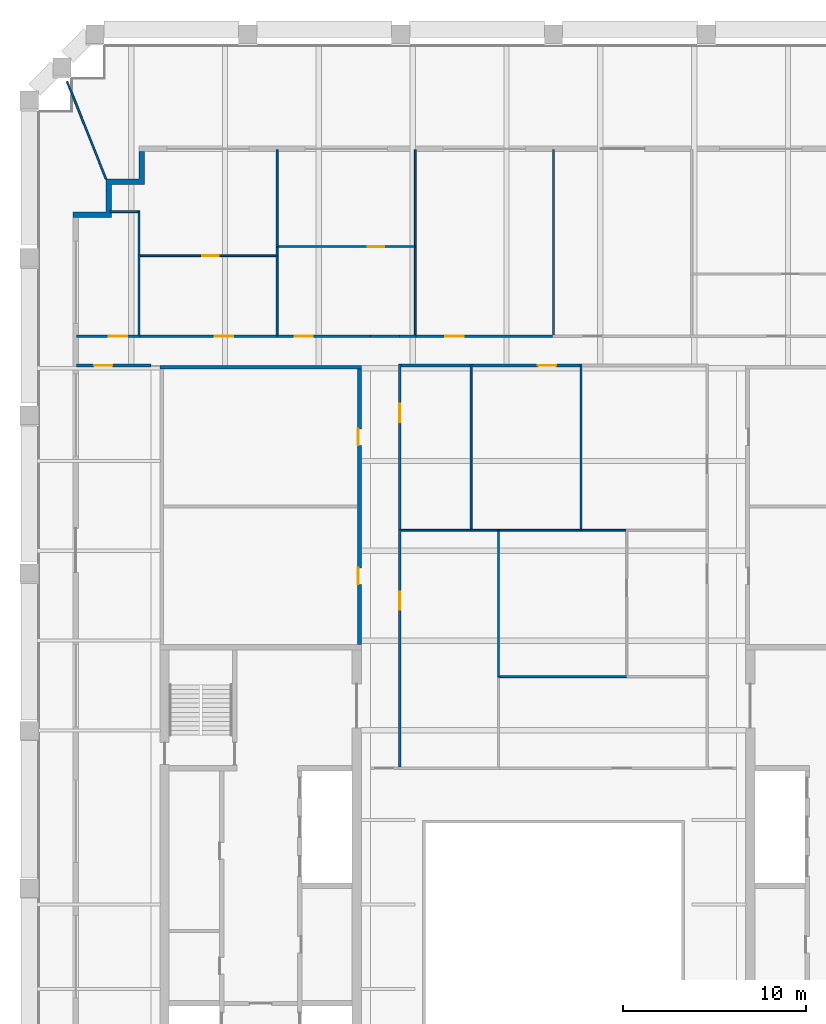
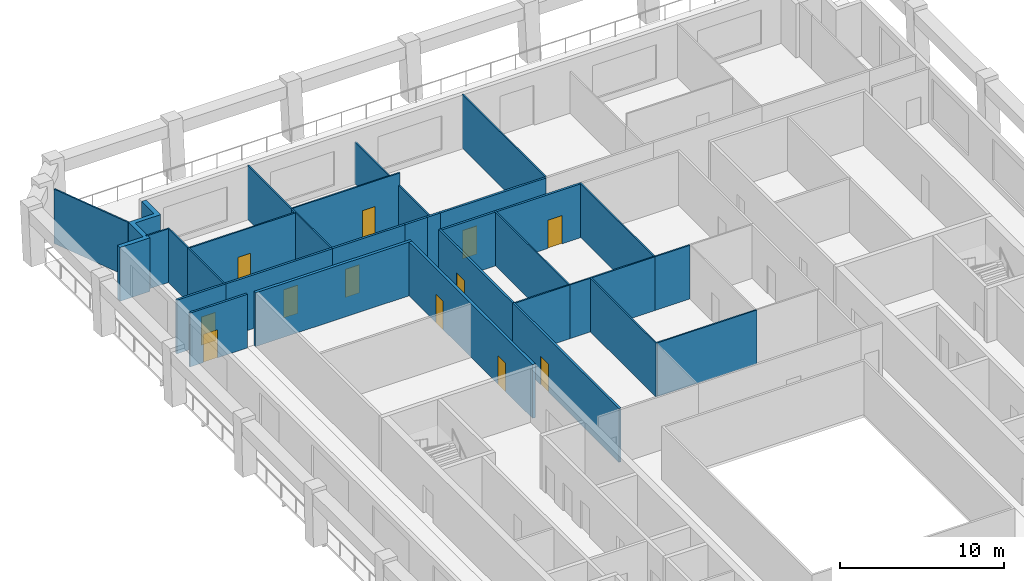
# One storey, part 5 of 8: 34 walls, 12 doors, 12 openings.
"""IFC4 building model written with IfcOpenShell, lengths in metres."""

from ifc_helpers import new_model, si_unit, direction, frame, frame_2d, origin, place, context, subcontext, project, spatial, polyline, rectangle, outline, extrude, material, layer, layer_set, type_object, element, fill, save


model = new_model("IFC4")

# Units and contexts
model_context = context("Model", 3, precision=1e-05, world=origin(), true_north=direction((0.0, 1.0)))
body_context = subcontext(model_context, "Body", "Model", "MODEL_VIEW")
ifc_project = project(units=[si_unit("LENGTHUNIT", "METRE"), si_unit("AREAUNIT", "SQUARE_METRE"), si_unit("VOLUMEUNIT", "CUBIC_METRE"), si_unit("PLANEANGLEUNIT", "RADIAN"), si_unit("MASSUNIT", "GRAM", prefix="KILO")], contexts=[model_context])

# Site, building, storey
site_placement = place(None, origin())
site = spatial("IfcSite", under=ifc_project, at=site_placement, CompositionType="ELEMENT")
building_placement = place(site_placement, origin())
building = spatial("IfcBuilding", under=site, at=building_placement, Name="Ogive Exchange Tower", CompositionType="ELEMENT")
storey_placement = place(building_placement, frame((0.0, 0.0, 342.60009765625)))
storey = spatial("IfcBuildingStorey", under=building, at=storey_placement, Name="L75", CompositionType="ELEMENT", Elevation=342.60009765625)

# Wall, opening, door
ifc_material_1 = material(Name="Fire partition EI 60 150")
ifc_layer_1 = layer(ifc_material_1, 0.14990234375)
ifc_layer_set_1 = layer_set([ifc_layer_1], Name="Fire partition EI 60 150")
wall_type_1 = type_object("IfcWallType", Name="Fire partition EI 60 150", PredefinedType="PARTITIONING", material=ifc_layer_set_1)
wall_1_placement = place(storey_placement, frame((-26.050048828125, 42.60009765625, 0.0), z_axis=(0.0, 0.0, 1.0), x_axis=(1.0, 0.0, 0.0)))
wall_1 = element("IfcWall", 1, at=wall_1_placement, inside=storey, type_object=wall_type_1, Name="L75-PWL-001", PredefinedType="PARTITIONING", context=body_context, shape_type="SweptSolid", body=[
    extrude(rectangle(XDim=3.449951171875, YDim=0.14990234375, at=frame_2d((1.72509765625, 0.0))), origin(), (0.0, 0.0, 1.0), 4.0),
])
opening_1_placement = place(wall_1_placement, frame((1.75, 0.0, 0.0)))
opening_1 = element("IfcOpeningElement", 2, at=opening_1_placement, cuts=wall_1, Name="Opening L75-I11", PredefinedType="OPENING", context=body_context, shape_type="SweptSolid", body=[
    extrude(rectangle(XDim=1.0, YDim=2.10009765625, at=frame_2d((0.5, 1.050048828125))), frame((0.0, 0.0849609375, 0.0), z_axis=(0.0, -1.0, 0.0), x_axis=(1.0, 0.0, 0.0)), (0.0, 0.0, 1.0), 0.169921875),
])
ifc_material_2 = material(Name="Fire door FD 30S 1000 x 2100")
door_type_1 = type_object("IfcDoorType", Name="Fire door FD 30S 1000 x 2100", OperationType="NOTDEFINED", PredefinedType="DOOR", material=ifc_material_2)
door_1_placement = place(opening_1_placement, origin())
door_1 = element("IfcDoor", 3, at=door_1_placement, inside=storey, type_object=door_type_1, Name="L75-IDR-011", ObjectType="DT3", OperationType="SINGLE_SWING_LEFT", OverallHeight=2.10009765625, OverallWidth=1.0, PredefinedType="DOOR", context=body_context, shape_type="SweptSolid", body=[
    extrude(rectangle(XDim=1.0, YDim=2.10009765625, at=frame_2d((0.5, 1.050048828125))), frame((0.0, 0.02490234375, 0.0), z_axis=(0.0, -1.0, 0.0), x_axis=(1.0, 0.0, 0.0)), (0.0, 0.0, 1.0), 0.050048828125),
])
fill(opening_1, door_1)

wall_2_placement = place(storey_placement, frame((-22.64990234375, 42.60009765625, 0.0), z_axis=(0.0, 0.0, 1.0), x_axis=(1.0, 0.0, 0.0)))
wall_2 = element("IfcWall", 4, at=wall_2_placement, inside=storey, type_object=wall_type_1, Name="L75-PWL-004", PredefinedType="PARTITIONING", context=body_context, shape_type="SweptSolid", body=[
    extrude(rectangle(XDim=7.599853515625, YDim=0.14990234375, at=frame_2d((3.7998046875, 0.0))), origin(), (0.0, 0.0, 1.0), 4.0),
])
opening_2_placement = place(wall_2_placement, frame((4.14990234375, 0.0, 0.0)))
opening_2 = element("IfcOpeningElement", 5, at=opening_2_placement, cuts=wall_2, Name="Opening L75-I10", PredefinedType="OPENING", context=body_context, shape_type="SweptSolid", body=[
    extrude(rectangle(XDim=1.0, YDim=2.10009765625, at=frame_2d((0.5, 1.050048828125))), frame((0.0, 0.0849609375, 0.0), z_axis=(0.0, -1.0, 0.0), x_axis=(1.0, 0.0, 0.0)), (0.0, 0.0, 1.0), 0.169921875),
])
door_2_placement = place(opening_2_placement, origin())
door_2 = element("IfcDoor", 6, at=door_2_placement, inside=storey, type_object=door_type_1, Name="L75-IDR-010", ObjectType="DT3", OperationType="SINGLE_SWING_LEFT", OverallHeight=2.10009765625, OverallWidth=1.0, PredefinedType="DOOR", context=body_context, shape_type="SweptSolid", body=[
    extrude(rectangle(XDim=1.0, YDim=2.10009765625, at=frame_2d((0.5, 1.050048828125))), frame((0.0, 0.02490234375, 0.0), z_axis=(0.0, -1.0, 0.0), x_axis=(1.0, 0.0, 0.0)), (0.0, 0.0, 1.0), 0.050048828125),
])
fill(opening_2, door_2)

wall_3_placement = place(storey_placement, frame((-22.0, 41.0, 0.0), z_axis=(0.0, 0.0, 1.0), x_axis=(-1.0, 0.0, 0.0)))
wall_3 = element("IfcWall", 7, at=wall_3_placement, inside=storey, type_object=wall_type_1, Name="L75-PWL-007", PredefinedType="PARTITIONING", context=body_context, shape_type="SweptSolid", body=[
    extrude(rectangle(XDim=4.050048828125, YDim=0.14990234375, at=frame_2d((2.02490234375, 0.0))), origin(), (0.0, 0.0, 1.0), 4.0),
])
opening_3_placement = place(wall_3_placement, frame((2.10009765625, 0.0, 0.0)))
opening_3 = element("IfcOpeningElement", 8, at=opening_3_placement, cuts=wall_3, Name="Opening L75-I19", PredefinedType="OPENING", context=body_context, shape_type="SweptSolid", body=[
    extrude(rectangle(XDim=1.0, YDim=2.10009765625, at=frame_2d((0.5, 1.050048828125))), frame((0.0, 0.0849609375, 0.0), z_axis=(0.0, -1.0, 0.0), x_axis=(1.0, 0.0, 0.0)), (0.0, 0.0, 1.0), 0.169921875),
])
door_3_placement = place(opening_3_placement, origin())
door_3 = element("IfcDoor", 9, at=door_3_placement, inside=storey, type_object=door_type_1, Name="L75-IDR-019", ObjectType="DT3", OperationType="SINGLE_SWING_LEFT", OverallHeight=2.10009765625, OverallWidth=1.0, PredefinedType="DOOR", context=body_context, shape_type="SweptSolid", body=[
    extrude(rectangle(XDim=1.0, YDim=2.10009765625, at=frame_2d((0.5, 1.050048828125))), frame((0.0, 0.02490234375, 0.0), z_axis=(0.0, -1.0, 0.0), x_axis=(1.0, 0.0, 0.0)), (0.0, 0.0, 1.0), 0.050048828125),
])
fill(opening_3, door_3)

wall_4_placement = place(storey_placement, frame((-15.10009765625, 42.60009765625, 0.0), z_axis=(0.0, 0.0, 1.0), x_axis=(1.0, 0.0, 0.0)))
wall_4 = element("IfcWall", 10, at=wall_4_placement, inside=storey, type_object=wall_type_1, Name="L75-PWL-009", PredefinedType="PARTITIONING", context=body_context, shape_type="SweptSolid", body=[
    extrude(rectangle(XDim=5.10009765625, YDim=0.14990234375, at=frame_2d((2.550048828125, 0.0))), origin(), (0.0, 0.0, 1.0), 4.0),
])
opening_4_placement = place(wall_4_placement, frame((0.949951171875, 0.0, 0.0)))
opening_4 = element("IfcOpeningElement", 11, at=opening_4_placement, cuts=wall_4, Name="Opening L75-I07", PredefinedType="OPENING", context=body_context, shape_type="SweptSolid", body=[
    extrude(rectangle(XDim=1.0, YDim=2.10009765625, at=frame_2d((0.5, 1.050048828125))), frame((0.0, 0.0849609375, 0.0), z_axis=(0.0, -1.0, 0.0), x_axis=(1.0, 0.0, 0.0)), (0.0, 0.0, 1.0), 0.169921875),
])
door_4_placement = place(opening_4_placement, origin())
door_4 = element("IfcDoor", 12, at=door_4_placement, inside=storey, type_object=door_type_1, Name="L75-IDR-007", ObjectType="DT3", OperationType="SINGLE_SWING_RIGHT", OverallHeight=2.10009765625, OverallWidth=1.0, PredefinedType="DOOR", context=body_context, shape_type="SweptSolid", body=[
    extrude(rectangle(XDim=1.0, YDim=2.10009765625, at=frame_2d((0.5, 1.050048828125))), frame((0.0, 0.02490234375, 0.0), z_axis=(0.0, -1.0, 0.0), x_axis=(1.0, 0.0, 0.0)), (0.0, 0.0, 1.0), 0.050048828125),
])
fill(opening_4, door_4)

# Wall
wall_5_placement = place(storey_placement, frame((-10.0, 42.60009765625, 0.0), z_axis=(0.0, 0.0, 1.0), x_axis=(1.0, 0.0, 0.0)))
element("IfcWall", 13, at=wall_5_placement, inside=storey, type_object=wall_type_1, Name="L75-PWL-014", PredefinedType="PARTITIONING", context=body_context, shape_type="SweptSolid", body=[
    extrude(rectangle(XDim=1.60009765625, YDim=0.14990234375, at=frame_2d((0.800048828125, 0.0))), origin(), (0.0, 0.0, 1.0), 4.0),
])

# Wall, opening, door
wall_6_placement = place(storey_placement, frame((-8.39990234375, 32.050048828125, 0.0), z_axis=(0.0, 0.0, 1.0), x_axis=(0.0, -1.0, 0.0)))
wall_6 = element("IfcWall", 14, at=wall_6_placement, inside=storey, type_object=wall_type_1, Name="L75-PWL-016", PredefinedType="PARTITIONING", context=body_context, shape_type="SweptSolid", body=[
    extrude(rectangle(XDim=12.97509765625, YDim=0.14990234375, at=frame_2d((6.487548828125, 0.0))), origin(), (0.0, 0.0, 1.0), 4.0),
])
opening_5_placement = place(wall_6_placement, frame((3.39990234375, 0.0, 0.0)))
opening_5 = element("IfcOpeningElement", 15, at=opening_5_placement, cuts=wall_6, Name="Opening L75-I18", PredefinedType="OPENING", context=body_context, shape_type="SweptSolid", body=[
    extrude(rectangle(XDim=1.0, YDim=2.10009765625, at=frame_2d((0.5, 1.050048828125))), frame((0.0, 0.0849609375, 0.0), z_axis=(0.0, -1.0, 0.0), x_axis=(1.0, 0.0, 0.0)), (0.0, 0.0, 1.0), 0.169921875),
])
door_5_placement = place(opening_5_placement, origin())
door_5 = element("IfcDoor", 16, at=door_5_placement, inside=storey, type_object=door_type_1, Name="L75-IDR-018", ObjectType="DT3", OperationType="SINGLE_SWING_RIGHT", OverallHeight=2.10009765625, OverallWidth=1.0, PredefinedType="DOOR", context=body_context, shape_type="SweptSolid", body=[
    extrude(rectangle(XDim=1.0, YDim=2.10009765625, at=frame_2d((0.5, 1.050048828125))), frame((0.0, 0.02490234375, 0.0), z_axis=(0.0, -1.0, 0.0), x_axis=(1.0, 0.0, 0.0)), (0.0, 0.0, 1.0), 0.050048828125),
])
fill(opening_5, door_5)

wall_7_placement = place(storey_placement, frame((-8.39990234375, 41.074951171875, 0.0), z_axis=(0.0, 0.0, 1.0), x_axis=(0.0, -1.0, 0.0)))
wall_7 = element("IfcWall", 17, at=wall_7_placement, inside=storey, type_object=wall_type_1, Name="L75-PWL-017", PredefinedType="PARTITIONING", context=body_context, shape_type="SweptSolid", body=[
    extrude(rectangle(XDim=9.02490234375, YDim=0.14990234375, at=frame_2d((4.512451171875, 0.0))), origin(), (0.0, 0.0, 1.0), 4.0),
])
opening_6_placement = place(wall_7_placement, frame((2.175048828125, 0.0, 0.0)))
opening_6 = element("IfcOpeningElement", 18, at=opening_6_placement, cuts=wall_7, Name="Opening L75-I14", PredefinedType="OPENING", context=body_context, shape_type="SweptSolid", body=[
    extrude(rectangle(XDim=1.0, YDim=2.10009765625, at=frame_2d((0.5, 1.050048828125))), frame((0.0, 0.0849609375, 0.0), z_axis=(0.0, -1.0, 0.0), x_axis=(1.0, 0.0, 0.0)), (0.0, 0.0, 1.0), 0.169921875),
])
door_6_placement = place(opening_6_placement, origin())
door_6 = element("IfcDoor", 19, at=door_6_placement, inside=storey, type_object=door_type_1, Name="L75-IDR-014", ObjectType="DT3", OperationType="SINGLE_SWING_RIGHT", OverallHeight=2.10009765625, OverallWidth=1.0, PredefinedType="DOOR", context=body_context, shape_type="SweptSolid", body=[
    extrude(rectangle(XDim=1.0, YDim=2.10009765625, at=frame_2d((0.5, 1.050048828125))), frame((0.0, 0.02490234375, 0.0), z_axis=(0.0, -1.0, 0.0), x_axis=(1.0, 0.0, 0.0)), (0.0, 0.0, 1.0), 0.050048828125),
])
fill(opening_6, door_6)

# Wall
wall_8_placement = place(storey_placement, frame((-8.39990234375, 42.60009765625, 0.0), z_axis=(0.0, 0.0, 1.0), x_axis=(1.0, 0.0, 0.0)))
element("IfcWall", 20, at=wall_8_placement, inside=storey, type_object=wall_type_1, Name="L75-PWL-018", PredefinedType="PARTITIONING", context=body_context, shape_type="SweptSolid", body=[
    extrude(rectangle(XDim=0.89990234375, YDim=0.14990234375, at=frame_2d((0.449951171875, 0.0))), origin(), (0.0, 0.0, 1.0), 4.0),
])

# Wall, opening, door
wall_9_placement = place(storey_placement, frame((-7.550048828125, 42.60009765625, 0.0), z_axis=(0.0, 0.0, 1.0), x_axis=(1.0, 0.0, 0.0)))
wall_9 = element("IfcWall", 21, at=wall_9_placement, inside=storey, type_object=wall_type_1, Name="L75-PWL-020", PredefinedType="PARTITIONING", context=body_context, shape_type="SweptSolid", body=[
    extrude(rectangle(XDim=7.5, YDim=0.14990234375, at=frame_2d((3.75, 0.0))), origin(), (0.0, 0.0, 1.0), 4.0),
])
opening_7_placement = place(wall_9_placement, frame((1.64990234375, 0.0, 0.0)))
opening_7 = element("IfcOpeningElement", 22, at=opening_7_placement, cuts=wall_9, Name="Opening L75-I01", PredefinedType="OPENING", context=body_context, shape_type="SweptSolid", body=[
    extrude(rectangle(XDim=1.0, YDim=2.10009765625, at=frame_2d((0.5, 1.050048828125))), frame((0.0, 0.0849609375, 0.0), z_axis=(0.0, -1.0, 0.0), x_axis=(1.0, 0.0, 0.0)), (0.0, 0.0, 1.0), 0.169921875),
])
door_7_placement = place(opening_7_placement, origin())
door_7 = element("IfcDoor", 23, at=door_7_placement, inside=storey, type_object=door_type_1, Name="L75-IDR-001", ObjectType="DT3", OperationType="SINGLE_SWING_RIGHT", OverallHeight=2.10009765625, OverallWidth=1.0, PredefinedType="DOOR", context=body_context, shape_type="SweptSolid", body=[
    extrude(rectangle(XDim=1.0, YDim=2.10009765625, at=frame_2d((0.5, 1.050048828125))), frame((0.0, 0.02490234375, 0.0), z_axis=(0.0, -1.0, 0.0), x_axis=(1.0, 0.0, 0.0)), (0.0, 0.0, 1.0), 0.050048828125),
])
fill(opening_7, door_7)

# Wall
wall_10_placement = place(storey_placement, frame((-4.550048828125, 41.0, 0.0), z_axis=(0.0, 0.0, 1.0), x_axis=(-1.0, 0.0, 0.0)))
element("IfcWall", 24, at=wall_10_placement, inside=storey, type_object=wall_type_1, Name="L75-PWL-024", PredefinedType="PARTITIONING", context=body_context, shape_type="SweptSolid", body=[
    extrude(rectangle(XDim=3.77490234375, YDim=0.14990234375, at=frame_2d((1.887451171875, 0.0))), origin(), (0.0, 0.0, 1.0), 4.0),
])

# Wall, opening, door
wall_11_placement = place(storey_placement, frame((1.449951171875, 41.0, 0.0), z_axis=(0.0, 0.0, 1.0), x_axis=(-1.0, 0.0, 0.0)))
wall_11 = element("IfcWall", 25, at=wall_11_placement, inside=storey, type_object=wall_type_1, Name="L75-PWL-034", PredefinedType="PARTITIONING", context=body_context, shape_type="SweptSolid", body=[
    extrude(rectangle(XDim=5.89990234375, YDim=0.14990234375, at=frame_2d((2.949951171875, 0.0))), origin(), (0.0, 0.0, 1.0), 4.0),
])
opening_8_placement = place(wall_11_placement, frame((1.300048828125, 0.0, 0.0)))
opening_8 = element("IfcOpeningElement", 26, at=opening_8_placement, cuts=wall_11, Name="Opening L75-I13", PredefinedType="OPENING", context=body_context, shape_type="SweptSolid", body=[
    extrude(rectangle(XDim=1.0, YDim=2.10009765625, at=frame_2d((0.5, 1.050048828125))), frame((0.0, 0.0849609375, 0.0), z_axis=(0.0, -1.0, 0.0), x_axis=(1.0, 0.0, 0.0)), (0.0, 0.0, 1.0), 0.169921875),
])
door_8_placement = place(opening_8_placement, origin())
door_8 = element("IfcDoor", 27, at=door_8_placement, inside=storey, type_object=door_type_1, Name="L75-IDR-013", ObjectType="DT3", OperationType="SINGLE_SWING_RIGHT", OverallHeight=2.10009765625, OverallWidth=1.0, PredefinedType="DOOR", context=body_context, shape_type="SweptSolid", body=[
    extrude(rectangle(XDim=1.0, YDim=2.10009765625, at=frame_2d((0.5, 1.050048828125))), frame((0.0, 0.02490234375, 0.0), z_axis=(0.0, -1.0, 0.0), x_axis=(1.0, 0.0, 0.0)), (0.0, 0.0, 1.0), 0.050048828125),
])
fill(opening_8, door_8)

# Walls
ifc_material_3 = material(Name="Precast concrete C40/50", Category="concrete")
ifc_layer_2 = layer(ifc_material_3, 0.300048828125)
ifc_layer_set_2 = layer_set([ifc_layer_2], Name="Limestone-faced wall 300")
wall_type_2 = type_object("IfcWallType", Name="Limestone-faced wall 300", PredefinedType="STANDARD", material=ifc_layer_set_2)
wall_12_placement = place(storey_placement, origin())
element("IfcWall", 28, at=wall_12_placement, inside=storey, type_object=wall_type_2, Name="External corner wall C3", PredefinedType="STANDARD", context=body_context, shape_type="SweptSolid", body=[
    extrude(outline(polyline([(-24.449951171875, 49.39990234375), (-24.449951171875, 51.199951171875), (-22.64990234375, 51.199951171875), (-22.64990234375, 52.699951171875), (-22.35009765625, 52.699951171875), (-22.35009765625, 50.89990234375), (-24.14990234375, 50.89990234375), (-24.14990234375, 49.10009765625), (-26.25, 49.10009765625), (-26.25, 49.39990234375), (-24.449951171875, 49.39990234375)])), origin(), (0.0, 0.0, 1.0), 4.0),
])
ifc_material_4 = material(Name="Laminated safety glass in steel frame", Category="steel")
ifc_layer_3 = layer(ifc_material_4, 0.10009765625)
ifc_layer_set_3 = layer_set([ifc_layer_3], Name="Loggia end screen 100")
wall_type_3 = type_object("IfcWallType", Name="Loggia end screen 100", PredefinedType="STANDARD", material=ifc_layer_set_3)
wall_13_placement = place(storey_placement, frame((-24.449951171875, 51.199951171875, -0.050048828125), z_axis=(0.0, 0.0, 1.0), x_axis=(-0.371412694589, 0.928467883288, 0.0)))
element("IfcWall", 29, at=wall_13_placement, inside=storey, type_object=wall_type_3, Name="Loggia end screen C3", PredefinedType="STANDARD", context=body_context, shape_type="SweptSolid", body=[
    extrude(rectangle(XDim=5.735107421875, YDim=0.10009765625, at=frame_2d((2.86767578125, 0.0))), origin(), (0.0, 0.0, 1.0), 4.050048828125),
])
ifc_material_5 = material(Name="Partition 100 gypsum")
ifc_layer_4 = layer(ifc_material_5, 0.10009765625)
ifc_layer_set_4 = layer_set([ifc_layer_4], Name="Partition 100 gypsum")
wall_type_4 = type_object("IfcWallType", Name="Partition 100 gypsum", PredefinedType="PARTITIONING", material=ifc_layer_set_4)
wall_14_placement = place(storey_placement, frame((-22.64990234375, 42.675048828125, 0.0), z_axis=(0.0, 0.0, 1.0), x_axis=(0.0, 1.0, 0.0)))
element("IfcWall", 30, at=wall_14_placement, inside=storey, type_object=wall_type_4, Name="L75-PWL-003", PredefinedType="PARTITIONING", context=body_context, shape_type="SweptSolid", body=[
    extrude(rectangle(XDim=4.375, YDim=0.10009765625, at=frame_2d((2.1875, 0.0))), origin(), (0.0, 0.0, 1.0), 4.0),
])
wall_15_placement = place(storey_placement, frame((-22.64990234375, 47.050048828125, 0.0), z_axis=(0.0, 0.0, 1.0), x_axis=(0.0, 1.0, 0.0)))
element("IfcWall", 31, at=wall_15_placement, inside=storey, type_object=wall_type_4, Name="L75-PWL-005", PredefinedType="PARTITIONING", context=body_context, shape_type="SweptSolid", body=[
    extrude(rectangle(XDim=2.409912109375, YDim=0.10009765625, at=frame_2d((1.205078125, 0.0))), origin(), (0.0, 0.0, 1.0), 4.0),
])
wall_16_placement = place(storey_placement, frame((-22.699951171875, 49.409912109375, 0.0), z_axis=(0.0, 0.0, 1.0), x_axis=(-1.0, 0.0, 0.0)))
element("IfcWall", 32, at=wall_16_placement, inside=storey, type_object=wall_type_4, Name="L75-PWL-006", PredefinedType="PARTITIONING", context=body_context, shape_type="SweptSolid", body=[
    extrude(rectangle(XDim=1.550048828125, YDim=0.10009765625, at=frame_2d((0.77490234375, 0.0))), origin(), (0.0, 0.0, 1.0), 4.0),
])
wall_17_placement = place(storey_placement, frame((-15.10009765625, 42.675048828125, 0.0), z_axis=(0.0, 0.0, 1.0), x_axis=(0.0, 1.0, 0.0)))
element("IfcWall", 33, at=wall_17_placement, inside=storey, type_object=wall_type_4, Name="L75-PWL-008", PredefinedType="PARTITIONING", context=body_context, shape_type="SweptSolid", body=[
    extrude(rectangle(XDim=4.375, YDim=0.10009765625, at=frame_2d((2.1875, 0.0))), origin(), (0.0, 0.0, 1.0), 4.0),
])

# Wall, opening, door
wall_18_placement = place(storey_placement, frame((-15.14990234375, 47.0, 0.0), z_axis=(0.0, 0.0, 1.0), x_axis=(-1.0, 0.0, 0.0)))
wall_18 = element("IfcWall", 34, at=wall_18_placement, inside=storey, type_object=wall_type_4, Name="L75-PWL-010", PredefinedType="PARTITIONING", context=body_context, shape_type="SweptSolid", body=[
    extrude(rectangle(XDim=7.4501953125, YDim=0.10009765625, at=frame_2d((3.72509765625, 0.0))), origin(), (0.0, 0.0, 1.0), 4.0),
])
opening_9_placement = place(wall_18_placement, frame((3.14990234375, 0.0, 0.0)))
opening_9 = element("IfcOpeningElement", 35, at=opening_9_placement, cuts=wall_18, Name="Opening L75-I09", PredefinedType="OPENING", context=body_context, shape_type="SweptSolid", body=[
    extrude(rectangle(XDim=0.89990234375, YDim=2.10009765625, at=frame_2d((0.449951171875, 1.050048828125))), frame((0.0, 0.06005859375, 0.0), z_axis=(0.0, -1.0, 0.0), x_axis=(1.0, 0.0, 0.0)), (0.0, 0.0, 1.0), 0.1201171875),
])
ifc_material_6 = material(Name="Door 900 x 2100")
door_type_2 = type_object("IfcDoorType", Name="Door 900 x 2100", OperationType="NOTDEFINED", PredefinedType="DOOR", material=ifc_material_6)
door_9_placement = place(opening_9_placement, origin())
door_9 = element("IfcDoor", 36, at=door_9_placement, inside=storey, type_object=door_type_2, Name="L75-IDR-009", ObjectType="DT1", OperationType="SINGLE_SWING_LEFT", OverallHeight=2.10009765625, OverallWidth=0.89990234375, PredefinedType="DOOR", context=body_context, shape_type="SweptSolid", body=[
    extrude(rectangle(XDim=0.89990234375, YDim=2.10009765625, at=frame_2d((0.449951171875, 1.050048828125))), frame((0.0, 0.02490234375, 0.0), z_axis=(0.0, -1.0, 0.0), x_axis=(1.0, 0.0, 0.0)), (0.0, 0.0, 1.0), 0.050048828125),
])
fill(opening_9, door_9)

# Walls
wall_19_placement = place(storey_placement, frame((-15.10009765625, 47.0, 0.0), z_axis=(0.0, 0.0, 1.0), x_axis=(0.0, 1.0, 0.0)))
element("IfcWall", 37, at=wall_19_placement, inside=storey, type_object=wall_type_4, Name="L75-PWL-011", PredefinedType="PARTITIONING", context=body_context, shape_type="SweptSolid", body=[
    extrude(rectangle(XDim=0.449951171875, YDim=0.10009765625, at=frame_2d((0.22509765625, 0.0))), origin(), (0.0, 0.0, 1.0), 4.0),
])
wall_20_placement = place(storey_placement, frame((-15.10009765625, 47.449951171875, 0.0), z_axis=(0.0, 0.0, 1.0), x_axis=(0.0, 1.0, 0.0)))
element("IfcWall", 38, at=wall_20_placement, inside=storey, type_object=wall_type_4, Name="L75-PWL-012", PredefinedType="PARTITIONING", context=body_context, shape_type="SweptSolid", body=[
    extrude(rectangle(XDim=5.35009765625, YDim=0.10009765625, at=frame_2d((2.675048828125, 0.0))), origin(), (0.0, 0.0, 1.0), 4.0),
])

# Wall, opening, door
wall_21_placement = place(storey_placement, frame((-15.050048828125, 47.5, 0.0), z_axis=(0.0, 0.0, 1.0), x_axis=(1.0, 0.0, 0.0)))
wall_21 = element("IfcWall", 39, at=wall_21_placement, inside=storey, type_object=wall_type_4, Name="L75-PWL-013", PredefinedType="PARTITIONING", context=body_context, shape_type="SweptSolid", body=[
    extrude(rectangle(XDim=7.550048828125, YDim=0.10009765625, at=frame_2d((3.77490234375, 0.0))), origin(), (0.0, 0.0, 1.0), 4.0),
])
opening_10_placement = place(wall_21_placement, frame((4.89990234375, 0.0, 0.0)))
opening_10 = element("IfcOpeningElement", 40, at=opening_10_placement, cuts=wall_21, Name="Opening L75-I08", PredefinedType="OPENING", context=body_context, shape_type="SweptSolid", body=[
    extrude(rectangle(XDim=0.89990234375, YDim=2.10009765625, at=frame_2d((0.449951171875, 1.050048828125))), frame((0.0, 0.06005859375, 0.0), z_axis=(0.0, -1.0, 0.0), x_axis=(1.0, 0.0, 0.0)), (0.0, 0.0, 1.0), 0.1201171875),
])
door_10_placement = place(opening_10_placement, frame((0.89990234375, 0.0, 0.0), z_axis=(0.0, 0.0, 1.0), x_axis=(-1.0, 0.0, 0.0)))
door_10 = element("IfcDoor", 41, at=door_10_placement, inside=storey, type_object=door_type_2, Name="L75-IDR-008", ObjectType="DT1", OperationType="SINGLE_SWING_RIGHT", OverallHeight=2.10009765625, OverallWidth=0.89990234375, PredefinedType="DOOR", context=body_context, shape_type="SweptSolid", body=[
    extrude(rectangle(XDim=0.89990234375, YDim=2.10009765625, at=frame_2d((0.449951171875, 1.050048828125))), frame((0.0, 0.02490234375, 0.0), z_axis=(0.0, -1.0, 0.0), x_axis=(1.0, 0.0, 0.0)), (0.0, 0.0, 1.0), 0.050048828125),
])
fill(opening_10, door_10)

# Walls
wall_22_placement = place(storey_placement, frame((-7.550048828125, 42.675048828125, 0.0), z_axis=(0.0, 0.0, 1.0), x_axis=(0.0, 1.0, 0.0)))
element("IfcWall", 42, at=wall_22_placement, inside=storey, type_object=wall_type_4, Name="L75-PWL-019", PredefinedType="PARTITIONING", context=body_context, shape_type="SweptSolid", body=[
    extrude(rectangle(XDim=4.77490234375, YDim=0.10009765625, at=frame_2d((2.387451171875, 0.0))), origin(), (0.0, 0.0, 1.0), 3.095947265625),
])
wall_23_placement = place(storey_placement, frame((-7.550048828125, 47.550048828125, 0.0), z_axis=(0.0, 0.0, 1.0), x_axis=(0.0, 1.0, 0.0)))
element("IfcWall", 43, at=wall_23_placement, inside=storey, type_object=wall_type_4, Name="L75-PWL-021", PredefinedType="PARTITIONING", context=body_context, shape_type="SweptSolid", body=[
    extrude(rectangle(XDim=5.25, YDim=0.10009765625, at=frame_2d((2.625, 0.0))), origin(), (0.0, 0.0, 1.0), 3.095947265625),
])
wall_24_placement = place(storey_placement, frame((-4.449951171875, 32.0, 0.0), z_axis=(0.0, 0.0, 1.0), x_axis=(-1.0, 0.0, 0.0)))
element("IfcWall", 44, at=wall_24_placement, inside=storey, type_object=wall_type_4, Name="L75-PWL-022", PredefinedType="PARTITIONING", context=body_context, shape_type="SweptSolid", body=[
    extrude(rectangle(XDim=3.875, YDim=0.10009765625, at=frame_2d((1.9375, 0.0))), origin(), (0.0, 0.0, 1.0), 4.0),
])
wall_25_placement = place(storey_placement, frame((-4.5, 32.050048828125, 0.0), z_axis=(0.0, 0.0, 1.0), x_axis=(0.0, 1.0, 0.0)))
element("IfcWall", 45, at=wall_25_placement, inside=storey, type_object=wall_type_4, Name="L75-PWL-023", PredefinedType="PARTITIONING", context=body_context, shape_type="SweptSolid", body=[
    extrude(rectangle(XDim=9.02490234375, YDim=0.10009765625, at=frame_2d((4.512451171875, 0.0))), origin(), (0.0, 0.0, 1.0), 4.0),
])
wall_26_placement = place(storey_placement, frame((-3.0, 23.949951171875, 0.0), z_axis=(0.0, 0.0, 1.0), x_axis=(0.0, 1.0, 0.0)))
element("IfcWall", 46, at=wall_26_placement, inside=storey, type_object=wall_type_4, Name="L75-PWL-027", PredefinedType="PARTITIONING", context=body_context, shape_type="SweptSolid", body=[
    extrude(rectangle(XDim=8.10009765625, YDim=0.10009765625, at=frame_2d((4.050048828125, 0.0))), origin(), (0.0, 0.0, 1.0), 4.0),
])
wall_27_placement = place(storey_placement, frame((-2.949951171875, 24.0, 0.0), z_axis=(0.0, 0.0, 1.0), x_axis=(1.0, 0.0, 0.0)))
element("IfcWall", 47, at=wall_27_placement, inside=storey, type_object=wall_type_4, Name="L75-PWL-028", PredefinedType="PARTITIONING", context=body_context, shape_type="SweptSolid", body=[
    extrude(rectangle(XDim=7.0, YDim=0.10009765625, at=frame_2d((3.5, 0.0))), origin(), (0.0, 0.0, 1.0), 4.0),
])
wall_28_placement = place(storey_placement, frame((-3.050048828125, 32.0, 0.0), z_axis=(0.0, 0.0, 1.0), x_axis=(-1.0, 0.0, 0.0)))
element("IfcWall", 48, at=wall_28_placement, inside=storey, type_object=wall_type_4, Name="L75-PWL-029", PredefinedType="PARTITIONING", context=body_context, shape_type="SweptSolid", body=[
    extrude(rectangle(XDim=1.449951171875, YDim=0.10009765625, at=frame_2d((0.72509765625, 0.0))), origin(), (0.0, 0.0, 1.0), 4.0),
])
wall_29_placement = place(storey_placement, frame((0.0, 52.800048828125, 0.0), z_axis=(0.0, 0.0, 1.0), x_axis=(0.0, -1.0, 0.0)))
element("IfcWall", 49, at=wall_29_placement, inside=storey, type_object=wall_type_4, Name="L75-PWL-031", PredefinedType="PARTITIONING", context=body_context, shape_type="SweptSolid", body=[
    extrude(rectangle(XDim=10.125, YDim=0.10009765625, at=frame_2d((5.0625, 0.0))), origin(), (0.0, 0.0, 1.0), 4.0),
])
wall_30_placement = place(storey_placement, frame((1.550048828125, 32.0, 0.0), z_axis=(0.0, 0.0, 1.0), x_axis=(-1.0, 0.0, 0.0)))
element("IfcWall", 50, at=wall_30_placement, inside=storey, type_object=wall_type_4, Name="L75-PWL-032", PredefinedType="PARTITIONING", context=body_context, shape_type="SweptSolid", body=[
    extrude(rectangle(XDim=4.5, YDim=0.10009765625, at=frame_2d((2.25, 0.0))), origin(), (0.0, 0.0, 1.0), 4.0),
])
wall_31_placement = place(storey_placement, frame((1.5, 32.050048828125, 0.0), z_axis=(0.0, 0.0, 1.0), x_axis=(0.0, 1.0, 0.0)))
element("IfcWall", 51, at=wall_31_placement, inside=storey, type_object=wall_type_4, Name="L75-PWL-033", PredefinedType="PARTITIONING", context=body_context, shape_type="SweptSolid", body=[
    extrude(rectangle(XDim=9.02490234375, YDim=0.10009765625, at=frame_2d((4.512451171875, 0.0))), origin(), (0.0, 0.0, 1.0), 4.0),
])
wall_32_placement = place(storey_placement, frame((3.949951171875, 32.0, 0.0), z_axis=(0.0, 0.0, 1.0), x_axis=(-1.0, 0.0, 0.0)))
element("IfcWall", 52, at=wall_32_placement, inside=storey, type_object=wall_type_4, Name="L75-PWL-037", PredefinedType="PARTITIONING", context=body_context, shape_type="SweptSolid", body=[
    extrude(rectangle(XDim=2.449951171875, YDim=0.10009765625, at=frame_2d((1.22509765625, 0.0))), origin(), (0.0, 0.0, 1.0), 4.0),
])

# Wall, openings, doors
ifc_material_7 = material(Name="Concrete C70/85", Category="concrete")
ifc_layer_5 = layer(ifc_material_7, 0.199951171875)
ifc_layer_set_5 = layer_set([ifc_layer_5], Name="RC core wall 200 C70/85")
wall_type_5 = type_object("IfcWallType", Name="RC core wall 200 C70/85", PredefinedType="SHEAR", material=ifc_layer_set_5)
wall_33_placement = place(storey_placement, frame((-10.60009765625, 25.75, 0.0), z_axis=(0.0, 0.0, 1.0), x_axis=(0.0, 1.0, 0.0)))
wall_33 = element("IfcWall", 53, at=wall_33_placement, inside=storey, type_object=wall_type_5, Name="W annex N inner wall", PredefinedType="SHEAR", context=body_context, shape_type="SweptSolid", body=[
    extrude(rectangle(XDim=15.050048828125, YDim=0.199951171875, at=frame_2d((7.52490234375, 0.0))), origin(), (0.0, 0.0, 1.0), 4.0),
])
opening_11_placement = place(wall_33_placement, frame((3.28759765625, 0.0, 0.0)))
opening_11 = element("IfcOpeningElement", 54, at=opening_11_placement, cuts=wall_33, Name="Opening L75-C17", PredefinedType="OPENING", context=body_context, shape_type="SweptSolid", body=[
    extrude(rectangle(XDim=0.89990234375, YDim=2.10009765625, at=frame_2d((0.449951171875, 1.050048828125))), frame((0.0, 0.10986328125, 0.0), z_axis=(0.0, -1.0, 0.0), x_axis=(1.0, 0.0, 0.0)), (0.0, 0.0, 1.0), 0.219970703125),
])
opening_12_placement = place(wall_33_placement, frame((10.887451171875, 0.0, 0.0)))
opening_12 = element("IfcOpeningElement", 55, at=opening_12_placement, cuts=wall_33, Name="Opening L75-C18", PredefinedType="OPENING", context=body_context, shape_type="SweptSolid", body=[
    extrude(rectangle(XDim=0.89990234375, YDim=2.10009765625, at=frame_2d((0.449951171875, 1.050048828125))), frame((0.0, 0.10986328125, 0.0), z_axis=(0.0, -1.0, 0.0), x_axis=(1.0, 0.0, 0.0)), (0.0, 0.0, 1.0), 0.219970703125),
])
ifc_material_8 = material(Name="Timber fire door", Category="wood")
door_type_3 = type_object("IfcDoorType", Name="Core room door FD30S 900 x 2100", OperationType="NOTDEFINED", PredefinedType="DOOR", material=ifc_material_8)
door_11_placement = place(opening_11_placement, frame((0.89990234375, 0.14990234375, 0.0), z_axis=(0.0, 0.0, 1.0), x_axis=(-1.0, 0.0, 0.0)))
door_11 = element("IfcDoor", 56, at=door_11_placement, inside=storey, type_object=door_type_3, Name="Core room door", ObjectType="CD6", OperationType="SINGLE_SWING_RIGHT", OverallHeight=2.10009765625, OverallWidth=0.89990234375, PredefinedType="DOOR", context=body_context, shape_type="SweptSolid", body=[
    extrude(rectangle(XDim=0.89990234375, YDim=2.10009765625, at=frame_2d((0.449951171875, 1.050048828125))), frame((0.0, 0.10009765625, 0.0), z_axis=(0.0, -1.0, 0.0), x_axis=(1.0, 0.0, 0.0)), (0.0, 0.0, 1.0), 0.050048828125),
])
fill(opening_11, door_11)
ifc_material_9 = material(Name="Steel fire door", Category="steel")
door_type_4 = type_object("IfcDoorType", Name="Riser door FD60 900 x 2100", OperationType="NOTDEFINED", PredefinedType="DOOR", material=ifc_material_9)
door_12_placement = place(opening_12_placement, frame((0.89990234375, 0.14990234375, 0.0), z_axis=(0.0, 0.0, 1.0), x_axis=(-1.0, 0.0, 0.0)))
door_12 = element("IfcDoor", 57, at=door_12_placement, inside=storey, type_object=door_type_4, Name="Riser door", ObjectType="CD2", OperationType="SINGLE_SWING_LEFT", OverallHeight=2.10009765625, OverallWidth=0.89990234375, PredefinedType="DOOR", context=body_context, shape_type="SweptSolid", body=[
    extrude(rectangle(XDim=0.89990234375, YDim=2.10009765625, at=frame_2d((0.449951171875, 1.050048828125))), frame((0.0, 0.10009765625, 0.0), z_axis=(0.0, -1.0, 0.0), x_axis=(1.0, 0.0, 0.0)), (0.0, 0.0, 1.0), 0.050048828125),
])
fill(opening_12, door_12)

# Wall
wall_34_placement = place(storey_placement, frame((-21.5, 40.89990234375, 0.0), z_axis=(0.0, 0.0, 1.0), x_axis=(1.0, 0.0, 0.0)))
element("IfcWall", 58, at=wall_34_placement, inside=storey, type_object=wall_type_5, Name="W annex N end wall", PredefinedType="SHEAR", context=body_context, shape_type="SweptSolid", body=[
    extrude(rectangle(XDim=11.0, YDim=0.199951171875, at=frame_2d((5.5, 0.0))), origin(), (0.0, 0.0, 1.0), 4.0),
])

save(model, "model.ifc")
